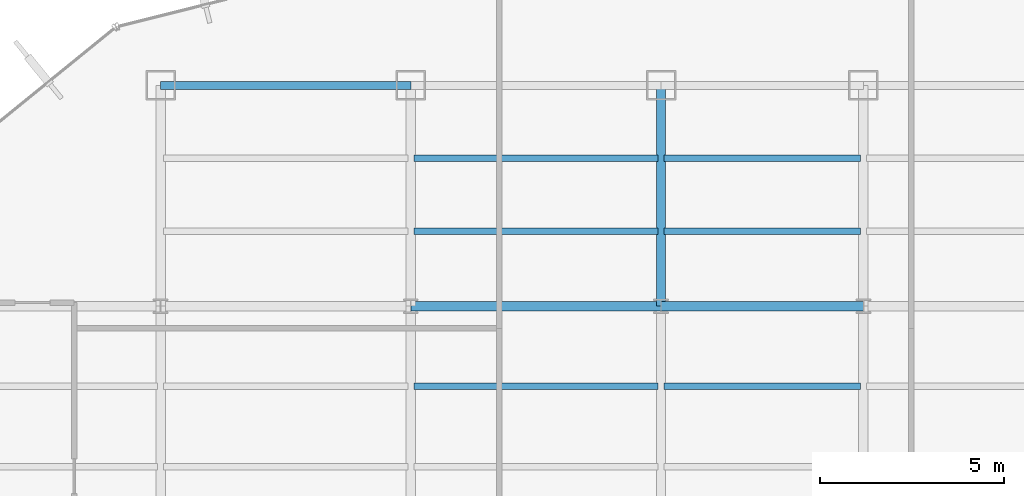
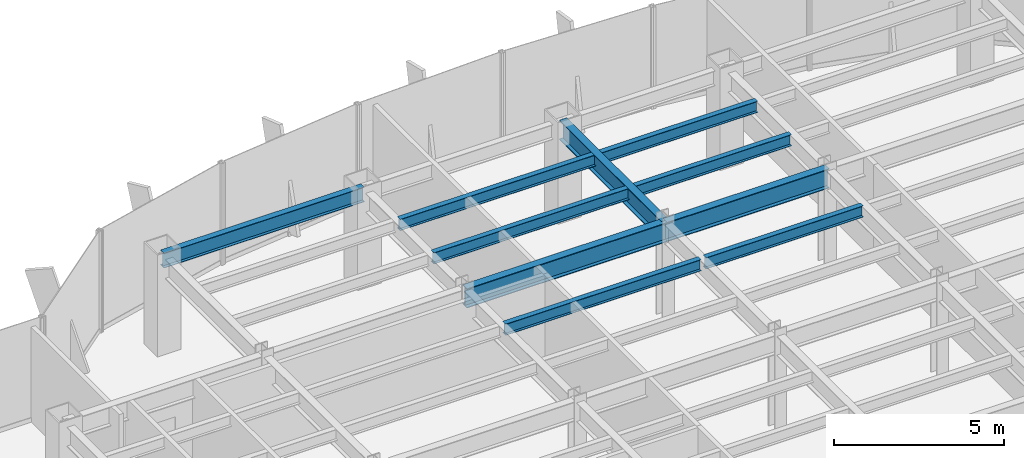
# One storey, part 14 of 25: 10 beams.
"""IFC4 building model written with IfcOpenShell, lengths in metres."""

from ifc_helpers import new_model, si_unit, derived_unit, direction, frame, origin, origin_2d, place, context, subcontext, project, spatial, i_section, extrude, source, transform, mapped, material, material_profile, profile_set, type_object, element, save


model = new_model("IFC4")

# Units and contexts
model_context = context("Model", 3, precision=1e-05, world=origin(), true_north=direction((0.0, 1.0)))
body_context = subcontext(model_context, "Body", "Model", "MODEL_VIEW")
ifc_project = project(units=[si_unit("LENGTHUNIT", "METRE"), si_unit("AREAUNIT", "SQUARE_METRE"), si_unit("VOLUMEUNIT", "CUBIC_METRE"), si_unit("PLANEANGLEUNIT", "RADIAN"), si_unit("MASSUNIT", "GRAM", prefix="KILO"), derived_unit("THERMALTRANSMITTANCEUNIT", [(si_unit("POWERUNIT", "WATT"), 1), (si_unit("LENGTHUNIT", "METRE"), -2), (si_unit("THERMODYNAMICTEMPERATUREUNIT", "KELVIN"), -1)])], contexts=[model_context])

# Site, building, storey
site_placement = place(None, origin())
site = spatial("IfcSite", under=ifc_project, at=site_placement, CompositionType="ELEMENT")
building_placement = place(site_placement, origin())
building = spatial("IfcBuilding", under=site, at=building_placement, Name="Skarnbrae Concourse Arena and Tower", CompositionType="ELEMENT")
storey_placement = place(building_placement, frame((0.0, 0.0, 88.64990234375)))
storey = spatial("IfcBuildingStorey", under=building, at=storey_placement, Name="L21", CompositionType="ELEMENT", Elevation=88.64990234375)

# Beams
ifc_material = material(Name="Steel CSA G40.21 350W", Category="steel")
ifc_material_profile_1 = material_profile(ifc_material, i_section(OverallWidth=0.256103515625, OverallDepth=0.693115234375, WebThickness=0.014404296875, FlangeThickness=0.023681640625, at=origin_2d()), Name="W690X170")
ifc_profile_set_1 = profile_set([ifc_material_profile_1], Name="Steel CSA G40.21 350W")
beam_type_1 = type_object("IfcBeamType", Name="BM-GIRD-W690X170", PredefinedType="BEAM", material=ifc_profile_set_1)
shared_shape_1 = source(origin(), body_context, "Body", "SweptSolid", [
    extrude(i_section(OverallWidth=0.256103515625, OverallDepth=0.693115234375, WebThickness=0.014404296875, FlangeThickness=0.023681640625, at=origin_2d()), origin(), (0.0, 0.0, 1.0), 6.800048828125),
])
beam_1_placement = place(storey_placement, frame((21.199951171875, 34.39990234375, 3.0537109375), z_axis=(1.0, 0.0, 0.0), x_axis=(0.0, 1.0, 0.0)))
element("IfcBeam", 1, at=beam_1_placement, inside=storey, type_object=beam_type_1, Name="L21 Primary E-W girder Y34.4-3", PredefinedType="BEAM", context=body_context, shape_type="MappedRepresentation", body=[
    mapped(shared_shape_1, transform((0.0, 0.0, 0.0))),
])
shared_shape_2 = source(origin(), body_context, "Body", "SweptSolid", [
    extrude(i_section(OverallWidth=0.256103515625, OverallDepth=0.693115234375, WebThickness=0.014404296875, FlangeThickness=0.023681640625, at=origin_2d()), origin(), (0.0, 0.0, 1.0), 5.5),
])
beam_2_placement = place(storey_placement, frame((28.0, 34.39990234375, 3.0537109375), z_axis=(1.0, 0.0, 0.0), x_axis=(0.0, 1.0, 0.0)))
element("IfcBeam", 2, at=beam_2_placement, inside=storey, type_object=beam_type_1, Name="L21 Primary E-W girder Y34.4-4", PredefinedType="BEAM", context=body_context, shape_type="MappedRepresentation", body=[
    mapped(shared_shape_2, transform((0.0, 0.0, 0.0))),
])
ifc_material_profile_2 = material_profile(ifc_material, i_section(OverallWidth=0.208984375, OverallDepth=0.532958984375, WebThickness=0.01025390625, FlangeThickness=0.015625, at=origin_2d()), Name="W530X92")
ifc_profile_set_2 = profile_set([ifc_material_profile_2], Name="Steel CSA G40.21 350W")
beam_type_2 = type_object("IfcBeamType", Name="BM-SPAN-W530X92", PredefinedType="SPANDREL", material=ifc_profile_set_2)
shared_shape_3 = source(origin(), body_context, "Body", "SweptSolid", [
    extrude(i_section(OverallWidth=0.208984375, OverallDepth=0.532958984375, WebThickness=0.01025390625, FlangeThickness=0.015625, at=origin_2d()), origin(), (0.0, 0.0, 1.0), 6.800048828125),
])
beam_3_placement = place(storey_placement, frame((14.39990234375, 40.39990234375, 3.133544921875), z_axis=(1.0, 0.0, 0.0), x_axis=(0.0, 1.0, 0.0)))
element("IfcBeam", 3, at=beam_3_placement, inside=storey, type_object=beam_type_2, Name="L21 Perimeter spandrel Y40.4-1", PredefinedType="SPANDREL", context=body_context, shape_type="MappedRepresentation", body=[
    mapped(shared_shape_3, transform((0.0, 0.0, 0.0))),
])
shared_shape_4 = source(origin(), body_context, "Body", "SweptSolid", [
    extrude(i_section(OverallWidth=0.256103515625, OverallDepth=0.693115234375, WebThickness=0.014404296875, FlangeThickness=0.023681640625, at=origin_2d()), origin(), (0.0, 0.0, 1.0), 6.0),
])
beam_4_placement = place(storey_placement, frame((28.0, 34.39990234375, 3.0537109375), z_axis=(0.0, 1.0, 0.0), x_axis=(-1.0, 0.0, 0.0)))
element("IfcBeam", 4, at=beam_4_placement, inside=storey, type_object=beam_type_1, Name="L21 Primary N-S girder X28.0-4", PredefinedType="BEAM", context=body_context, shape_type="MappedRepresentation", body=[
    mapped(shared_shape_4, transform((0.0, 0.0, 0.0))),
])
ifc_material_profile_3 = material_profile(ifc_material, i_section(OverallWidth=0.177978515625, OverallDepth=0.406982421875, WebThickness=0.0078125, FlangeThickness=0.0126953125, at=origin_2d()), Name="W410X60")
ifc_profile_set_3 = profile_set([ifc_material_profile_3], Name="Steel CSA G40.21 350W")
beam_type_3 = type_object("IfcBeamType", Name="BM-JOIST-W410X60", PredefinedType="JOIST", material=ifc_profile_set_3)
shared_shape_5 = source(origin(), body_context, "Body", "SweptSolid", [
    extrude(i_section(OverallWidth=0.177978515625, OverallDepth=0.406982421875, WebThickness=0.0078125, FlangeThickness=0.0126953125, at=origin_2d()), origin(), (0.0, 0.0, 1.0), 6.639892578125),
])
for number, where, z_axis, x_axis, name in (
    (5, (21.280029296875, 32.221923828125, 3.196533203125), (1.0, 0.0, 0.0), (0.0, 1.0, 0.0), "L21 Secondary floor joist 3.2.3"),
    (6, (21.280029296875, 36.43994140625, 3.196533203125), (1.0, 0.0, 0.0), (0.0, 1.0, 0.0), "L21 Secondary floor joist 4.1.2"),
    (7, (21.280029296875, 38.419921875, 3.196533203125), (1.0, 0.0, 0.0), (0.0, 1.0, 0.0), "L21 Secondary floor joist 4.2.2"),
):
    element("IfcBeam", number, at=place(storey_placement, frame(where, z_axis=z_axis, x_axis=x_axis)), inside=storey, type_object=beam_type_3, Name=name, PredefinedType="JOIST", context=body_context, shape_type="MappedRepresentation", body=[
        mapped(shared_shape_5, transform((0.0, 0.0, 0.0))),
    ])
shared_shape_6 = source(origin(), body_context, "Body", "SweptSolid", [
    extrude(i_section(OverallWidth=0.177978515625, OverallDepth=0.406982421875, WebThickness=0.0078125, FlangeThickness=0.0126953125, at=origin_2d()), origin(), (0.0, 0.0, 1.0), 5.33984375),
])
for number, where, z_axis, x_axis, name in (
    (8, (28.080078125, 32.221923828125, 3.196533203125), (1.0, 0.0, 0.0), (0.0, 1.0, 0.0), "L21 Secondary floor joist 3.2.4"),
    (9, (28.080078125, 36.43994140625, 3.196533203125), (1.0, 0.0, 0.0), (0.0, 1.0, 0.0), "L21 Secondary floor joist 4.1.3"),
    (10, (28.080078125, 38.419921875, 3.196533203125), (1.0, 0.0, 0.0), (0.0, 1.0, 0.0), "L21 Secondary floor joist 4.2.3"),
):
    element("IfcBeam", number, at=place(storey_placement, frame(where, z_axis=z_axis, x_axis=x_axis)), inside=storey, type_object=beam_type_3, Name=name, PredefinedType="JOIST", context=body_context, shape_type="MappedRepresentation", body=[
        mapped(shared_shape_6, transform((0.0, 0.0, 0.0))),
    ])

save(model, "model.ifc")
